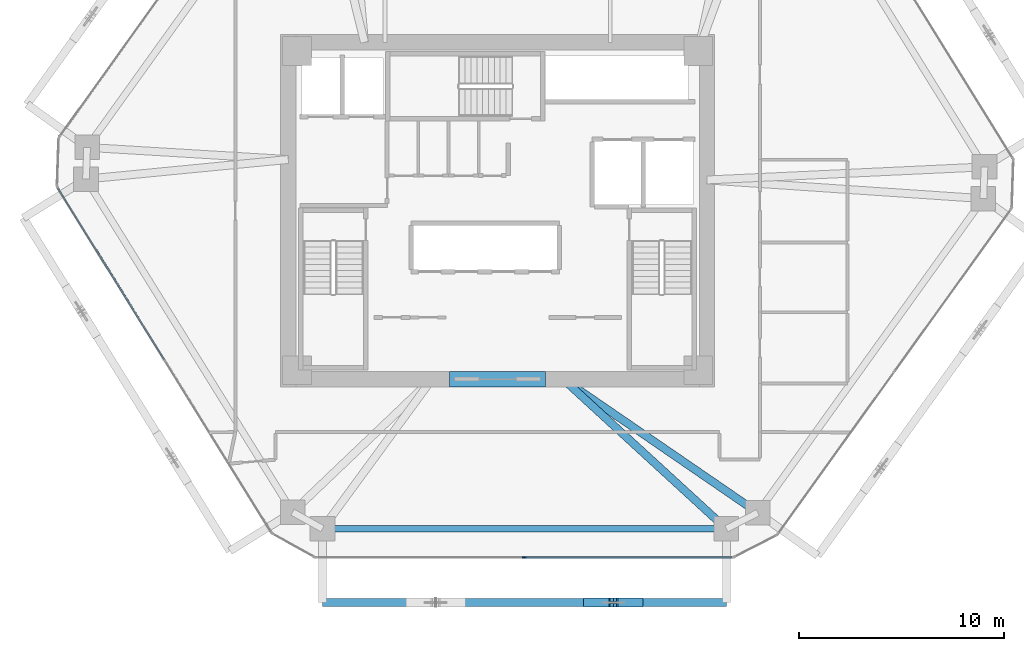
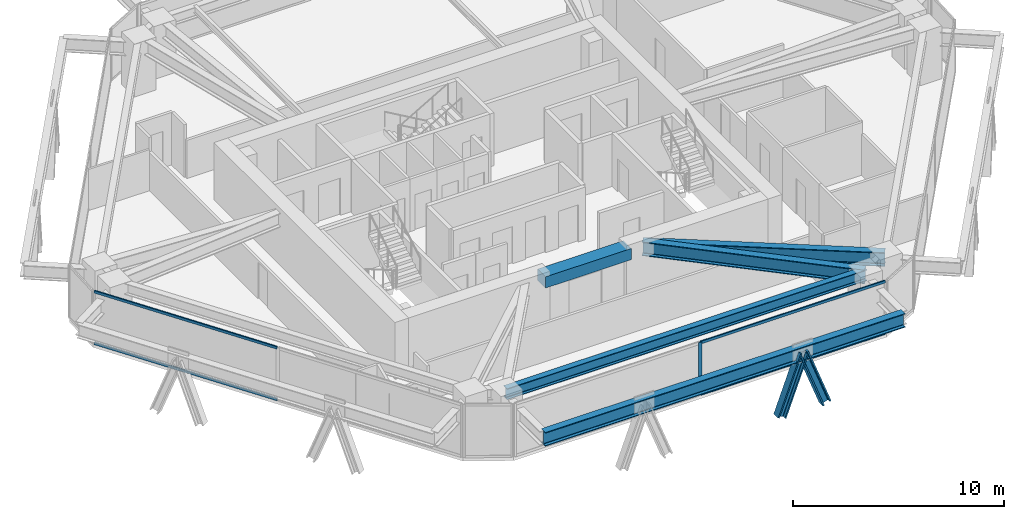
# One storey, part 3 of 15: 7 members, 5 beams, 2 elements without a shape of their own.
"""IFC4 building model written with IfcOpenShell, lengths in metres."""

from ifc_helpers import new_model, si_unit, direction, frame, origin, origin_2d, place, context, subcontext, project, spatial, rectangle, i_section, extrude, source, transform, mapped, material, layer, layer_set, material_profile, profile_set, type_object, type_shapes, element, aggregate, save


model = new_model("IFC4")

# Units and contexts
model_context = context("Model", 3, precision=1e-05, world=origin(), true_north=direction((0.0, 1.0)))
body_context = subcontext(model_context, "Body", "Model", "MODEL_VIEW")
ifc_project = project(units=[si_unit("LENGTHUNIT", "METRE"), si_unit("AREAUNIT", "SQUARE_METRE"), si_unit("VOLUMEUNIT", "CUBIC_METRE"), si_unit("PLANEANGLEUNIT", "RADIAN"), si_unit("MASSUNIT", "GRAM", prefix="KILO")], contexts=[model_context])

# Site, building, storey
site_placement = place(None, origin())
site = spatial("IfcSite", under=ifc_project, at=site_placement, CompositionType="ELEMENT")
building_placement = place(site_placement, origin())
building = spatial("IfcBuilding", under=site, at=building_placement, Name="Durnholm Broadcast Tower", CompositionType="ELEMENT")
storey_placement = place(building_placement, frame((0.0, 0.0, 97.5)))
storey = spatial("IfcBuildingStorey", under=building, at=storey_placement, Name="L25", CompositionType="ELEMENT", Elevation=97.5)

# Beams
ifc_material_1 = material(Name="Concrete C70/85", Category="concrete")
ifc_material_profile_1 = material_profile(ifc_material_1, rectangle(XDim=0.75, YDim=0.64990234375, at=origin_2d()), Name="RC750X650")
ifc_profile_set_1 = profile_set([ifc_material_profile_1], Name="Concrete C70/85")
beam_type_1 = type_object("IfcBeamType", Name="BM-CB-RC650", PredefinedType="LINTEL", material=ifc_profile_set_1)
shared_shape_1 = source(origin(), body_context, "Body", "SweptSolid", [
    extrude(rectangle(XDim=0.75, YDim=0.64990234375, at=origin_2d()), origin(), (0.0, 0.0, 1.0), 4.7001953125),
])
type_shapes(beam_type_1, [shared_shape_1])
beam_1_placement = place(storey_placement, frame((-2.35009765625, -8.22509765625, 2.72998046875), z_axis=(1.0, 0.0, 0.0), x_axis=(0.0, 1.0, 0.0)))
element("IfcBeam", 1, at=beam_1_placement, inside=storey, type_object=beam_type_1, Name="L25 south core coupling lintel beam CB-S", PredefinedType="LINTEL", context=body_context, shape_type="MappedRepresentation", body=[
    mapped(shared_shape_1, transform((0.0, 0.0, 0.0), x_axis=(1.0, 0.0, 0.0), y_axis=(0.0, 1.0, 0.0), z_axis=(0.0, 0.0, 1.0), scale=1.0)),
])
ifc_material_2 = material(Name="Steel ASTM A992 Grade 50", Category="steel")
ifc_material_profile_2 = material_profile(ifc_material_2, i_section(OverallWidth=0.3291015625, OverallDepth=0.635009765625, WebThickness=0.017822265625, FlangeThickness=0.031005859375, FilletRadius=0.02783203125, at=origin_2d()), Name="W24X162")
ifc_profile_set_2 = profile_set([ifc_material_profile_2], Name="Steel ASTM A992 Grade 50")
beam_type_2 = type_object("IfcBeamType", Name="STL-SP-W24X162", PredefinedType="SPANDREL", material=ifc_profile_set_2)
shared_shape_2 = source(origin(), body_context, "Body", "SweptSolid", [
    extrude(i_section(OverallWidth=0.3291015625, OverallDepth=0.635009765625, WebThickness=0.017822265625, FlangeThickness=0.031005859375, FilletRadius=0.02783203125, at=origin_2d()), origin(), (0.0, 0.0, 1.0), 19.72802734375),
])
type_shapes(beam_type_2, [shared_shape_2])
beam_2_placement = place(storey_placement, frame((11.176025390625, -15.537109375, 2.7275390625), z_axis=(-1.0, 0.0, 0.0), x_axis=(0.0, -1.0, 0.0)))
element("IfcBeam", 2, at=beam_2_placement, inside=storey, type_object=beam_type_2, Name="L25 perimeter spandrel girder 11", PredefinedType="SPANDREL", context=body_context, shape_type="MappedRepresentation", body=[
    mapped(shared_shape_2, transform((0.0, 0.0, 0.0), x_axis=(1.0, 0.0, 0.0), y_axis=(0.0, 1.0, 0.0), z_axis=(0.0, 0.0, 1.0), scale=1.0)),
])
ifc_material_profile_3 = material_profile(ifc_material_2, i_section(OverallWidth=0.385009765625, OverallDepth=0.802978515625, WebThickness=0.023681640625, FlangeThickness=0.0419921875, FilletRadius=0.032958984375, at=origin_2d()), Name="W30X261")
ifc_profile_set_3 = profile_set([ifc_material_profile_3], Name="Steel ASTM A992 Grade 50")
beam_type_3 = type_object("IfcBeamType", Name="STL-GR-W30X261", PredefinedType="USERDEFINED", material=ifc_profile_set_3)
shared_shape_3 = source(origin(), body_context, "Body", "SweptSolid", [
    extrude(i_section(OverallWidth=0.385009765625, OverallDepth=0.802978515625, WebThickness=0.023681640625, FlangeThickness=0.0419921875, FilletRadius=0.032958984375, at=origin_2d()), origin(), (0.0, 0.0, 1.0), 11.533447265625),
])
beam_3_placement = place(storey_placement, frame((3.199951171875, -8.22509765625, 2.6435546875), z_axis=(0.824567182461, -0.565764051181, 0.0), x_axis=(0.565764051181, 0.824567182461, 0.0)))
element("IfcBeam", 3, at=beam_3_placement, inside=storey, type_object=beam_type_3, Name="L25 radial primary floor girder 10", ObjectType="GIRDER", PredefinedType="USERDEFINED", context=body_context, shape_type="MappedRepresentation", body=[
    mapped(shared_shape_3, transform((0.0, 0.0, 0.0), x_axis=(1.0, 0.0, 0.0), y_axis=(0.0, 1.0, 0.0), z_axis=(0.0, 0.0, 1.0), scale=1.0)),
])
shared_shape_4 = source(origin(), body_context, "Body", "SweptSolid", [
    extrude(i_section(OverallWidth=0.385009765625, OverallDepth=0.802978515625, WebThickness=0.023681640625, FlangeThickness=0.0419921875, FilletRadius=0.032958984375, at=origin_2d()), origin(), (0.0, 0.0, 1.0), 10.820556640625),
])
type_shapes(beam_type_3, [shared_shape_3, shared_shape_4])
beam_4_placement = place(storey_placement, frame((3.199951171875, -8.22509765625, 2.6435546875), z_axis=(0.737126042516, -0.675755279258, 0.0), x_axis=(0.675755279258, 0.737126042516, 0.0)))
element("IfcBeam", 4, at=beam_4_placement, inside=storey, type_object=beam_type_3, Name="L25 radial primary floor girder 11", ObjectType="GIRDER", PredefinedType="USERDEFINED", context=body_context, shape_type="MappedRepresentation", body=[
    mapped(shared_shape_4, transform((0.0, 0.0, 0.0), x_axis=(1.0, 0.0, 0.0), y_axis=(0.0, 1.0, 0.0), z_axis=(0.0, 0.0, 1.0), scale=1.0)),
])
ifc_material_profile_4 = material_profile(ifc_material_2, i_section(OverallWidth=0.385009765625, OverallDepth=0.802978515625, WebThickness=0.023681640625, FlangeThickness=0.0419921875, FilletRadius=0.032958984375, at=origin_2d()), Name="W30X261")
ifc_profile_set_4 = profile_set([ifc_material_profile_4], Name="Steel ASTM A992 Grade 50")
beam_type_4 = type_object("IfcBeamType", Name="BM-EXO-TIE", PredefinedType="USERDEFINED", material=ifc_profile_set_4)
shared_shape_5 = source(origin(), body_context, "Body", "SweptSolid", [
    extrude(i_section(OverallWidth=0.385009765625, OverallDepth=0.802978515625, WebThickness=0.023681640625, FlangeThickness=0.0419921875, FilletRadius=0.032958984375, at=origin_2d()), origin(), (0.0, 0.0, 1.0), 19.72802734375),
])
type_shapes(beam_type_4, [shared_shape_5])
beam_5_placement = place(storey_placement, frame((-8.552001953125, -19.136962890625, 2.30859375), z_axis=(1.0, 0.0, 0.0), x_axis=(0.0, 1.0, 0.0)))
element("IfcBeam", 5, at=beam_5_placement, inside=storey, type_object=beam_type_4, Name="L25 exoskeleton collector spandrel F1", PredefinedType="SPANDREL", context=body_context, shape_type="MappedRepresentation", body=[
    mapped(shared_shape_5, transform((0.0, 0.0, 0.0), x_axis=(1.0, 0.0, 0.0), y_axis=(0.0, 1.0, 0.0), z_axis=(0.0, 0.0, 1.0), scale=1.0)),
])

# Members
ifc_material_3 = material(Name="Steel ASTM A913 Grade 65", Category="steel")
ifc_material_profile_5 = material_profile(ifc_material_3, i_section(OverallWidth=0.424072265625, OverallDepth=0.47412109375, WebThickness=0.047607421875, FlangeThickness=0.0771484375, FilletRadius=0.030517578125, at=origin_2d()), Name="W14X426")
ifc_profile_set_5 = profile_set([ifc_material_profile_5], Name="Steel ASTM A913 Grade 65")
member_type_1 = type_object("IfcMemberType", Name="STL-DG-W14X426", PredefinedType="BRACE", material=ifc_profile_set_5)
shared_shape_6 = source(origin(), body_context, "Body", "SweptSolid", [
    extrude(i_section(OverallWidth=0.424072265625, OverallDepth=0.47412109375, WebThickness=0.047607421875, FlangeThickness=0.0771484375, FilletRadius=0.030517578125, at=origin_2d()), origin(), (0.0, 0.0, 1.0), 3.523193359375),
])
type_shapes(member_type_1, [shared_shape_6])
for number, where, z_axis, x_axis, name in (
    (6, (4.41845703125, -19.136962890625, -0.991455078125), (0.350219588454, 0.0, 0.936667625075), (0.0, 1.0, 0.0), "L25 stand-off diagrid brace F1.D2.1"),
    (7, (6.885986328125, -19.136962890625, -0.991455078125), (-0.350158790071, 0.0, 0.936690355313), (0.0, -1.0, 0.0), "L25 stand-off diagrid brace F1.D2.2"),
):
    element("IfcMember", number, at=place(storey_placement, frame(where, z_axis=z_axis, x_axis=x_axis)), inside=storey, type_object=member_type_1, Name=name, PredefinedType="BRACE", context=body_context, shape_type="MappedRepresentation", body=[
        mapped(shared_shape_6, transform((0.0, 0.0, 0.0), x_axis=(1.0, 0.0, 0.0), y_axis=(0.0, 1.0, 0.0), z_axis=(0.0, 0.0, 1.0), scale=1.0)),
    ])

# Curtain wall, members
ifc_material_4 = material(Name="Aluminium and Solar Control IGU", Category="aluminium")
ifc_layer = layer(ifc_material_4, 0.18994140625)
ifc_layer_set = layer_set([ifc_layer], Name="Aluminium and Solar Control IGU")
curtain_wall_type = type_object("IfcCurtainWallType", Name="CW-SYS-3", PredefinedType="NOTDEFINED", material=ifc_layer_set)
curtain_wall_1_placement = place(storey_placement, origin())
curtain_wall_1 = element("IfcCurtainWall", 8, at=curtain_wall_1_placement, inside=storey, type_object=curtain_wall_type, Name="L25 curtain wall CW-Z12-VIS CW-L25-F10", PredefinedType="NOTDEFINED")
ifc_material_5 = material(Name="Aluminium 6063-T6", Category="aluminium")
ifc_material_profile_6 = material_profile(ifc_material_5, rectangle(XDim=0.070068359375, YDim=0.18994140625, at=origin_2d()), Name="CWM70X190")
ifc_profile_set_6 = profile_set([ifc_material_profile_6], Name="Aluminium 6063-T6")
member_type_2 = type_object("IfcMemberType", Name="CW-SYS-3-MUL", PredefinedType="MULLION", material=ifc_profile_set_6)
shared_shape_7 = source(origin(), body_context, "Body", "SweptSolid", [
    extrude(rectangle(XDim=0.070068359375, YDim=0.18994140625, at=origin_2d()), origin(), (0.0, 0.0, 1.0), 3.06005859375),
])
type_shapes(member_type_2, [shared_shape_7])
member_1_placement = place(storey_placement, frame((1.299560546875, -16.93701171875, 0.0), z_axis=(0.0, 0.0, 1.0), x_axis=(0.0, -1.0, 0.0)))
member_1 = element("IfcMember", 9, at=member_1_placement, type_object=member_type_2, Name="CW-Z12-VIS mullion 2", PredefinedType="MULLION", context=body_context, shape_type="MappedRepresentation", body=[
    mapped(shared_shape_7, transform((0.0, 0.0, 0.0), x_axis=(1.0, 0.0, 0.0), y_axis=(0.0, 1.0, 0.0), z_axis=(0.0, 0.0, 1.0), scale=1.0)),
])
ifc_material_profile_7 = material_profile(ifc_material_5, rectangle(XDim=0.070068359375, YDim=0.14990234375, at=origin_2d()), Name="CWT70X150")
ifc_profile_set_7 = profile_set([ifc_material_profile_7], Name="Aluminium 6063-T6")
member_type_3 = type_object("IfcMemberType", Name="CW-SYS-3-TRN", PredefinedType="USERDEFINED", material=ifc_profile_set_7)
shared_shape_8 = source(origin(), body_context, "Body", "SweptSolid", [
    extrude(rectangle(XDim=0.070068359375, YDim=0.14990234375, at=origin_2d()), origin(), (0.0, 0.0, 1.0), 10.109619140625),
])
member_2_placement = place(storey_placement, frame((11.444091796875, -16.93701171875, 0.034912109375), z_axis=(-1.0, 0.0, 0.0), x_axis=(0.0, -1.0, 0.0)))
member_2 = element("IfcMember", 10, at=member_2_placement, type_object=member_type_3, Name="CW-Z12-VIS transom 1.1", ObjectType="TRANSOM", PredefinedType="USERDEFINED", context=body_context, shape_type="MappedRepresentation", body=[
    mapped(shared_shape_8, transform((0.0, 0.0, 0.0), x_axis=(1.0, 0.0, 0.0), y_axis=(0.0, 1.0, 0.0), z_axis=(0.0, 0.0, 1.0), scale=1.0)),
])
member_3_placement = place(storey_placement, frame((11.444091796875, -16.93701171875, 3.02490234375), z_axis=(-1.0, 0.0, 0.0), x_axis=(0.0, -1.0, 0.0)))
member_3 = element("IfcMember", 11, at=member_3_placement, type_object=member_type_3, Name="CW-Z12-VIS transom 1.2", ObjectType="TRANSOM", PredefinedType="USERDEFINED", context=body_context, shape_type="MappedRepresentation", body=[
    mapped(shared_shape_8, transform((0.0, 0.0, 0.0), x_axis=(1.0, 0.0, 0.0), y_axis=(0.0, 1.0, 0.0), z_axis=(0.0, 0.0, 1.0), scale=1.0)),
])
aggregate(curtain_wall_1, [member_1, member_2, member_3])

curtain_wall_2_placement = place(storey_placement, origin())
curtain_wall_2 = element("IfcCurtainWall", 12, at=curtain_wall_2_placement, inside=storey, type_object=curtain_wall_type, Name="L25 curtain wall CW-Z12-VIS CW-L25-F12", PredefinedType="NOTDEFINED")
shared_shape_9 = source(origin(), body_context, "Body", "SweptSolid", [
    extrude(rectangle(XDim=0.070068359375, YDim=0.14990234375, at=origin_2d()), origin(), (0.0, 0.0, 1.0), 9.85888671875),
])
type_shapes(member_type_3, [shared_shape_8, shared_shape_9])
member_4_placement = place(storey_placement, frame((-16.28271484375, -7.27294921875, 0.034912109375), z_axis=(-0.527119964735, 0.849790881793, 0.0), x_axis=(-0.849790881793, -0.527119964735, 0.0)))
member_4 = element("IfcMember", 13, at=member_4_placement, type_object=member_type_3, Name="CW-Z12-VIS transom 2.1", ObjectType="TRANSOM", PredefinedType="USERDEFINED", context=body_context, shape_type="MappedRepresentation", body=[
    mapped(shared_shape_9, transform((0.0, 0.0, 0.0), x_axis=(1.0, 0.0, 0.0), y_axis=(0.0, 1.0, 0.0), z_axis=(0.0, 0.0, 1.0), scale=1.0)),
])
member_5_placement = place(storey_placement, frame((-16.28271484375, -7.27294921875, 3.02490234375), z_axis=(-0.527119964735, 0.849790881793, 0.0), x_axis=(-0.849790881793, -0.527119964735, 0.0)))
member_5 = element("IfcMember", 14, at=member_5_placement, type_object=member_type_3, Name="CW-Z12-VIS transom 2.2", ObjectType="TRANSOM", PredefinedType="USERDEFINED", context=body_context, shape_type="MappedRepresentation", body=[
    mapped(shared_shape_9, transform((0.0, 0.0, 0.0), x_axis=(1.0, 0.0, 0.0), y_axis=(0.0, 1.0, 0.0), z_axis=(0.0, 0.0, 1.0), scale=1.0)),
])
aggregate(curtain_wall_2, [member_4, member_5])

save(model, "model.ifc")
